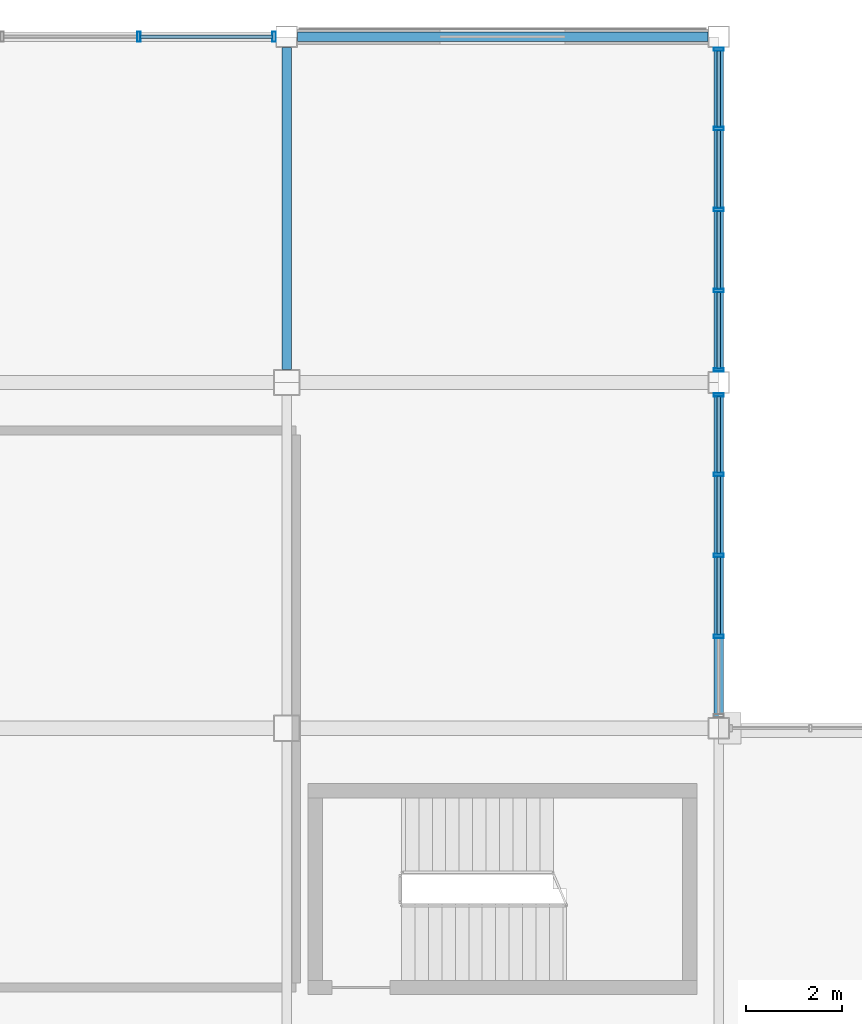
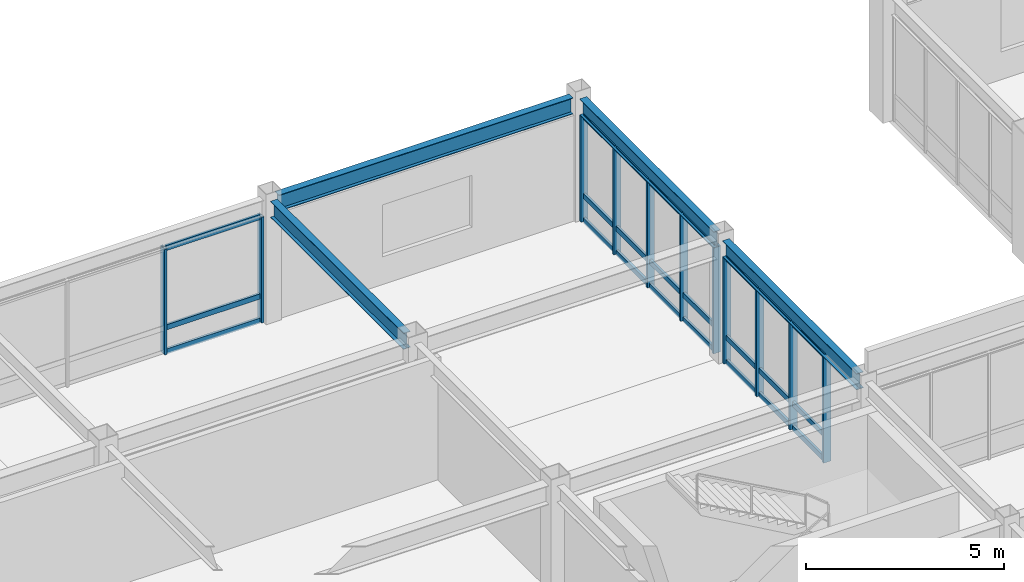
# One storey, part 83 of 122: 35 members, 4 beams, 3 elements without a shape of their own.
"""IFC4 building model written with IfcOpenShell, lengths in metres."""

from ifc_helpers import new_model, si_unit, direction, frame, origin, origin_2d, place, context, subcontext, project, spatial, hollow_rectangle, i_section, extrude, material, material_profile, profile_set, type_object, element, aggregate, save


model = new_model("IFC4")

# Units and contexts
model_context = context("Model", 3, precision=1e-05, world=origin(), true_north=direction((0.0, 1.0)))
body_context = subcontext(model_context, "Body", "Model", "MODEL_VIEW")
ifc_project = project(units=[si_unit("LENGTHUNIT", "METRE"), si_unit("AREAUNIT", "SQUARE_METRE"), si_unit("VOLUMEUNIT", "CUBIC_METRE"), si_unit("PLANEANGLEUNIT", "RADIAN"), si_unit("MASSUNIT", "GRAM", prefix="KILO")], contexts=[model_context])

# Site, building, storey
site_placement = place(None, origin())
site = spatial("IfcSite", under=ifc_project, at=site_placement, CompositionType="ELEMENT")
building_placement = place(site_placement, origin())
building = spatial("IfcBuilding", under=site, at=building_placement, Name="Kazanami Central Library", CompositionType="ELEMENT")
storey_placement = place(building_placement, frame((0.0, 0.0, 4.800048828125)))
storey = spatial("IfcBuildingStorey", under=building, at=storey_placement, Name="L02", CompositionType="ELEMENT", Elevation=4.800048828125)

# Beams
ifc_material_1 = material(Name="Steel SN490B (325 MPa)", Category="steel")
ifc_material_profile_1 = material_profile(ifc_material_1, i_section(OverallWidth=0.199951171875, OverallDepth=0.5, WebThickness=0.010009765625, FlangeThickness=0.01611328125, at=origin_2d()), Name="H-500x200x10x16")
ifc_profile_set_1 = profile_set([ifc_material_profile_1], Name="Steel SN490B (325 MPa)")
beam_type_1 = type_object("IfcBeamType", Name="BM-G-Y2", PredefinedType="BEAM", material=ifc_profile_set_1)
beam_1_placement = place(storey_placement, frame((99.0, 86.673095703125, 3.5048828125), z_axis=(0.0, 1.0, 0.0), x_axis=(-1.0, 0.0, 0.0)))
element("IfcBeam", 1, at=beam_1_placement, inside=storey, type_object=beam_type_1, Name="Girder G-Y2 L02 12/N-O", PredefinedType="BEAM", context=body_context, shape_type="SweptSolid", body=[
    extrude(i_section(OverallWidth=0.199951171875, OverallDepth=0.5, WebThickness=0.010009765625, FlangeThickness=0.01611328125, at=origin_2d()), origin(), (0.0, 0.0, 1.0), 6.703857421875),
])
ifc_material_profile_2 = material_profile(ifc_material_1, i_section(OverallWidth=0.199951171875, OverallDepth=0.5, WebThickness=0.010009765625, FlangeThickness=0.01611328125, at=origin_2d()), Name="H-500x200x10x16")
ifc_profile_set_2 = profile_set([ifc_material_profile_2], Name="Steel SN490B (325 MPa)")
beam_type_2 = type_object("IfcBeamType", Name="BM-SP-1", PredefinedType="SPANDREL", material=ifc_profile_set_2)
beam_2_placement = place(storey_placement, frame((99.222900390625, 93.60009765625, 3.5048828125), z_axis=(1.0, 0.0, 0.0), x_axis=(0.0, 1.0, 0.0)))
element("IfcBeam", 2, at=beam_2_placement, inside=storey, type_object=beam_type_2, Name="Girder SP-1 L02 O/12-13", PredefinedType="SPANDREL", context=body_context, shape_type="SweptSolid", body=[
    extrude(i_section(OverallWidth=0.199951171875, OverallDepth=0.5, WebThickness=0.010009765625, FlangeThickness=0.01611328125, at=origin_2d()), origin(), (0.0, 0.0, 1.0), 8.55419921875),
])
for number, where, z_axis, x_axis, name in (
    (3, (108.0, 79.423095703125, 3.5048828125), (0.0, 1.0, 0.0), (-1.0, 0.0, 0.0), "Girder SP-1 L02 13/M-N"),
    (4, (108.0, 86.623046875, 3.5048828125), (0.0, 1.0, 0.0), (-1.0, 0.0, 0.0), "Girder SP-1 L02 13/N-O"),
):
    element("IfcBeam", number, at=place(storey_placement, frame(where, z_axis=z_axis, x_axis=x_axis)), inside=storey, type_object=beam_type_2, Name=name, PredefinedType="SPANDREL", context=body_context, shape_type="SweptSolid", body=[
        extrude(i_section(OverallWidth=0.199951171875, OverallDepth=0.5, WebThickness=0.010009765625, FlangeThickness=0.01611328125, at=origin_2d()), origin(), (0.0, 0.0, 1.0), 6.75390625),
    ])

# Curtain wall, members
ifc_material_2 = material(Name="Acid-Etched Low-E Laminated Glass", Category="glass")
curtain_wall_type_1 = type_object("IfcCurtainWallType", Name="CW-8550x3255-M275", PredefinedType="USERDEFINED", material=ifc_material_2)
curtain_wall_1_placement = place(storey_placement, origin())
curtain_wall_1 = element("IfcCurtainWall", 5, at=curtain_wall_1_placement, inside=storey, type_object=curtain_wall_type_1, Name="Unitised Curtain Wall CW-19 L02 N-O-10", ObjectType="UNITISED CURTAIN WALL", PredefinedType="USERDEFINED")
ifc_material_3 = material(Name="Anodised Aluminium A6063-T5", Category="aluminium")
ifc_material_profile_3 = material_profile(ifc_material_3, hollow_rectangle(XDim=0.070068359375, YDim=0.2099609375, WallThickness=0.0048828125, at=origin_2d()), Name="ALU-MULL-70x210x5")
ifc_profile_set_3 = profile_set([ifc_material_profile_3], Name="Anodised Aluminium A6063-T5")
member_type_1 = type_object("IfcMemberType", Name="MEM-CW-M1", PredefinedType="MULLION", material=ifc_profile_set_3)
member_1_placement = place(storey_placement, frame((98.739990234375, 93.60009765625, 0.0), z_axis=(0.0, 0.0, 1.0), x_axis=(-1.0, 0.0, 0.0)))
member_1 = element("IfcMember", 6, at=member_1_placement, type_object=member_type_1, Name="CW-19 mullion 1", PredefinedType="MULLION", context=body_context, shape_type="SweptSolid", body=[
    extrude(hollow_rectangle(XDim=0.070068359375, YDim=0.2099609375, WallThickness=0.0048828125, at=origin_2d()), origin(), (0.0, 0.0, 1.0), 3.2548828125),
])
member_2_placement = place(storey_placement, frame((95.925048828125, 93.60009765625, 0.0), z_axis=(0.0, 0.0, 1.0), x_axis=(-1.0, 0.0, 0.0)))
member_2 = element("IfcMember", 7, at=member_2_placement, type_object=member_type_1, Name="CW-19 mullion 2", PredefinedType="MULLION", context=body_context, shape_type="SweptSolid", body=[
    extrude(hollow_rectangle(XDim=0.070068359375, YDim=0.2099609375, WallThickness=0.0048828125, at=origin_2d()), origin(), (0.0, 0.0, 1.0), 3.2548828125),
])

curtain_wall_type_2 = type_object("IfcCurtainWallType", Name="CW-6750x3255-M180", PredefinedType="USERDEFINED", material=ifc_material_2)
curtain_wall_2_placement = place(storey_placement, origin())
curtain_wall_2 = element("IfcCurtainWall", 8, at=curtain_wall_2_placement, inside=storey, type_object=curtain_wall_type_2, Name="Covered Link Bridge Curtain Wall CW-21 L02 E-13-11", ObjectType="UNITISED CURTAIN WALL", PredefinedType="USERDEFINED")
member_3_placement = place(storey_placement, frame((108.0, 86.139892578125, 0.0), z_axis=(0.0, 0.0, 1.0), x_axis=(0.0, -1.0, 0.0)))
member_3 = element("IfcMember", 9, at=member_3_placement, type_object=member_type_1, Name="CW-21 mullion 1", PredefinedType="MULLION", context=body_context, shape_type="SweptSolid", body=[
    extrude(hollow_rectangle(XDim=0.070068359375, YDim=0.2099609375, WallThickness=0.0048828125, at=origin_2d()), origin(), (0.0, 0.0, 1.0), 3.2548828125),
])
member_4_placement = place(storey_placement, frame((108.0, 84.487548828125, 0.0), z_axis=(0.0, 0.0, 1.0), x_axis=(0.0, -1.0, 0.0)))
member_4 = element("IfcMember", 10, at=member_4_placement, type_object=member_type_1, Name="CW-21 mullion 2", PredefinedType="MULLION", context=body_context, shape_type="SweptSolid", body=[
    extrude(hollow_rectangle(XDim=0.070068359375, YDim=0.2099609375, WallThickness=0.0048828125, at=origin_2d()), origin(), (0.0, 0.0, 1.0), 3.2548828125),
])
member_5_placement = place(storey_placement, frame((108.0, 82.800048828125, 0.0), z_axis=(0.0, 0.0, 1.0), x_axis=(0.0, -1.0, 0.0)))
member_5 = element("IfcMember", 11, at=member_5_placement, type_object=member_type_1, Name="CW-21 mullion 3", PredefinedType="MULLION", context=body_context, shape_type="SweptSolid", body=[
    extrude(hollow_rectangle(XDim=0.070068359375, YDim=0.2099609375, WallThickness=0.0048828125, at=origin_2d()), origin(), (0.0, 0.0, 1.0), 3.2548828125),
])
member_6_placement = place(storey_placement, frame((108.0, 81.112548828125, 0.0), z_axis=(0.0, 0.0, 1.0), x_axis=(0.0, -1.0, 0.0)))
member_6 = element("IfcMember", 12, at=member_6_placement, type_object=member_type_1, Name="CW-21 mullion 4", PredefinedType="MULLION", context=body_context, shape_type="SweptSolid", body=[
    extrude(hollow_rectangle(XDim=0.070068359375, YDim=0.2099609375, WallThickness=0.0048828125, at=origin_2d()), origin(), (0.0, 0.0, 1.0), 3.2548828125),
])

curtain_wall_3_placement = place(storey_placement, origin())
curtain_wall_3 = element("IfcCurtainWall", 13, at=curtain_wall_3_placement, inside=storey, type_object=curtain_wall_type_2, Name="Covered Link Bridge Curtain Wall CW-21 L02 E-13-12", ObjectType="UNITISED CURTAIN WALL", PredefinedType="USERDEFINED")
member_7_placement = place(storey_placement, frame((108.0, 93.340087890625, 0.0), z_axis=(0.0, 0.0, 1.0), x_axis=(0.0, -1.0, 0.0)))
member_7 = element("IfcMember", 14, at=member_7_placement, type_object=member_type_1, Name="CW-21 mullion 1", PredefinedType="MULLION", context=body_context, shape_type="SweptSolid", body=[
    extrude(hollow_rectangle(XDim=0.070068359375, YDim=0.2099609375, WallThickness=0.0048828125, at=origin_2d()), origin(), (0.0, 0.0, 1.0), 3.2548828125),
])
member_8_placement = place(storey_placement, frame((108.0, 91.6875, 0.0), z_axis=(0.0, 0.0, 1.0), x_axis=(0.0, -1.0, 0.0)))
member_8 = element("IfcMember", 15, at=member_8_placement, type_object=member_type_1, Name="CW-21 mullion 2", PredefinedType="MULLION", context=body_context, shape_type="SweptSolid", body=[
    extrude(hollow_rectangle(XDim=0.070068359375, YDim=0.2099609375, WallThickness=0.0048828125, at=origin_2d()), origin(), (0.0, 0.0, 1.0), 3.2548828125),
])
member_9_placement = place(storey_placement, frame((108.0, 90.0, 0.0), z_axis=(0.0, 0.0, 1.0), x_axis=(0.0, -1.0, 0.0)))
member_9 = element("IfcMember", 16, at=member_9_placement, type_object=member_type_1, Name="CW-21 mullion 3", PredefinedType="MULLION", context=body_context, shape_type="SweptSolid", body=[
    extrude(hollow_rectangle(XDim=0.070068359375, YDim=0.2099609375, WallThickness=0.0048828125, at=origin_2d()), origin(), (0.0, 0.0, 1.0), 3.2548828125),
])
member_10_placement = place(storey_placement, frame((108.0, 88.3125, 0.0), z_axis=(0.0, 0.0, 1.0), x_axis=(0.0, -1.0, 0.0)))
member_10 = element("IfcMember", 17, at=member_10_placement, type_object=member_type_1, Name="CW-21 mullion 4", PredefinedType="MULLION", context=body_context, shape_type="SweptSolid", body=[
    extrude(hollow_rectangle(XDim=0.070068359375, YDim=0.2099609375, WallThickness=0.0048828125, at=origin_2d()), origin(), (0.0, 0.0, 1.0), 3.2548828125),
])
member_11_placement = place(storey_placement, frame((108.0, 86.659912109375, 0.0), z_axis=(0.0, 0.0, 1.0), x_axis=(0.0, -1.0, 0.0)))
member_11 = element("IfcMember", 18, at=member_11_placement, type_object=member_type_1, Name="CW-21 mullion 5", PredefinedType="MULLION", context=body_context, shape_type="SweptSolid", body=[
    extrude(hollow_rectangle(XDim=0.070068359375, YDim=0.2099609375, WallThickness=0.0048828125, at=origin_2d()), origin(), (0.0, 0.0, 1.0), 3.2548828125),
])

# Member
ifc_material_profile_4 = material_profile(ifc_material_3, hollow_rectangle(XDim=0.070068359375, YDim=0.159912109375, WallThickness=0.00390625, at=origin_2d()), Name="ALU-TRAN-70x160x4")
ifc_profile_set_4 = profile_set([ifc_material_profile_4], Name="Anodised Aluminium A6063-T5")
member_type_2 = type_object("IfcMemberType", Name="MEM-CW-T1", PredefinedType="USERDEFINED", material=ifc_profile_set_4)
member_12_placement = place(storey_placement, frame((98.705078125, 93.60009765625, 0.034912109375), z_axis=(-1.0, 0.0, 0.0), x_axis=(0.0, -1.0, 0.0)))
member_12 = element("IfcMember", 19, at=member_12_placement, type_object=member_type_2, Name="CW-19 transom 1.1", ObjectType="TRANSOM", PredefinedType="USERDEFINED", context=body_context, shape_type="SweptSolid", body=[
    extrude(hollow_rectangle(XDim=0.070068359375, YDim=0.159912109375, WallThickness=0.00390625, at=origin_2d()), origin(), (0.0, 0.0, 1.0), 2.7451171875),
])

member_13_placement = place(storey_placement, frame((98.705078125, 93.60009765625, 0.780029296875), z_axis=(-1.0, 0.0, 0.0), x_axis=(0.0, -1.0, 0.0)))
member_13 = element("IfcMember", 20, at=member_13_placement, type_object=member_type_2, Name="CW-19 transom 1.2", ObjectType="TRANSOM", PredefinedType="USERDEFINED", context=body_context, shape_type="SweptSolid", body=[
    extrude(hollow_rectangle(XDim=0.070068359375, YDim=0.159912109375, WallThickness=0.00390625, at=origin_2d()), origin(), (0.0, 0.0, 1.0), 2.7451171875),
])

member_14_placement = place(storey_placement, frame((98.705078125, 93.60009765625, 3.219970703125), z_axis=(-1.0, 0.0, 0.0), x_axis=(0.0, -1.0, 0.0)))
member_14 = element("IfcMember", 21, at=member_14_placement, type_object=member_type_2, Name="CW-19 transom 1.3", ObjectType="TRANSOM", PredefinedType="USERDEFINED", context=body_context, shape_type="SweptSolid", body=[
    extrude(hollow_rectangle(XDim=0.070068359375, YDim=0.159912109375, WallThickness=0.00390625, at=origin_2d()), origin(), (0.0, 0.0, 1.0), 2.7451171875),
])

aggregate(curtain_wall_1, [member_1, member_2, member_12, member_13, member_14])

member_15_placement = place(storey_placement, frame((108.0, 86.10498046875, 0.034912109375), z_axis=(0.0, -1.0, 0.0), x_axis=(1.0, 0.0, 0.0)))
member_15 = element("IfcMember", 22, at=member_15_placement, type_object=member_type_2, Name="CW-21 transom 1.1", ObjectType="TRANSOM", PredefinedType="USERDEFINED", context=body_context, shape_type="SweptSolid", body=[
    extrude(hollow_rectangle(XDim=0.070068359375, YDim=0.159912109375, WallThickness=0.00390625, at=origin_2d()), origin(), (0.0, 0.0, 1.0), 1.58251953125),
])

member_16_placement = place(storey_placement, frame((108.0, 86.10498046875, 0.780029296875), z_axis=(0.0, -1.0, 0.0), x_axis=(1.0, 0.0, 0.0)))
member_16 = element("IfcMember", 23, at=member_16_placement, type_object=member_type_2, Name="CW-21 transom 1.2", ObjectType="TRANSOM", PredefinedType="USERDEFINED", context=body_context, shape_type="SweptSolid", body=[
    extrude(hollow_rectangle(XDim=0.070068359375, YDim=0.159912109375, WallThickness=0.00390625, at=origin_2d()), origin(), (0.0, 0.0, 1.0), 1.58251953125),
])

member_17_placement = place(storey_placement, frame((108.0, 86.10498046875, 3.219970703125), z_axis=(0.0, -1.0, 0.0), x_axis=(1.0, 0.0, 0.0)))
member_17 = element("IfcMember", 24, at=member_17_placement, type_object=member_type_2, Name="CW-21 transom 1.3", ObjectType="TRANSOM", PredefinedType="USERDEFINED", context=body_context, shape_type="SweptSolid", body=[
    extrude(hollow_rectangle(XDim=0.070068359375, YDim=0.159912109375, WallThickness=0.00390625, at=origin_2d()), origin(), (0.0, 0.0, 1.0), 1.58251953125),
])

member_18_placement = place(storey_placement, frame((108.0, 84.452392578125, 0.034912109375), z_axis=(0.0, -1.0, 0.0), x_axis=(1.0, 0.0, 0.0)))
member_18 = element("IfcMember", 25, at=member_18_placement, type_object=member_type_2, Name="CW-21 transom 2.1", ObjectType="TRANSOM", PredefinedType="USERDEFINED", context=body_context, shape_type="SweptSolid", body=[
    extrude(hollow_rectangle(XDim=0.070068359375, YDim=0.159912109375, WallThickness=0.00390625, at=origin_2d()), origin(), (0.0, 0.0, 1.0), 1.617431640625),
])

member_19_placement = place(storey_placement, frame((108.0, 84.452392578125, 0.780029296875), z_axis=(0.0, -1.0, 0.0), x_axis=(1.0, 0.0, 0.0)))
member_19 = element("IfcMember", 26, at=member_19_placement, type_object=member_type_2, Name="CW-21 transom 2.2", ObjectType="TRANSOM", PredefinedType="USERDEFINED", context=body_context, shape_type="SweptSolid", body=[
    extrude(hollow_rectangle(XDim=0.070068359375, YDim=0.159912109375, WallThickness=0.00390625, at=origin_2d()), origin(), (0.0, 0.0, 1.0), 1.617431640625),
])

member_20_placement = place(storey_placement, frame((108.0, 84.452392578125, 3.219970703125), z_axis=(0.0, -1.0, 0.0), x_axis=(1.0, 0.0, 0.0)))
member_20 = element("IfcMember", 27, at=member_20_placement, type_object=member_type_2, Name="CW-21 transom 2.3", ObjectType="TRANSOM", PredefinedType="USERDEFINED", context=body_context, shape_type="SweptSolid", body=[
    extrude(hollow_rectangle(XDim=0.070068359375, YDim=0.159912109375, WallThickness=0.00390625, at=origin_2d()), origin(), (0.0, 0.0, 1.0), 1.617431640625),
])

member_21_placement = place(storey_placement, frame((108.0, 82.764892578125, 0.034912109375), z_axis=(0.0, -1.0, 0.0), x_axis=(1.0, 0.0, 0.0)))
member_21 = element("IfcMember", 28, at=member_21_placement, type_object=member_type_2, Name="CW-21 transom 3.1", ObjectType="TRANSOM", PredefinedType="USERDEFINED", context=body_context, shape_type="SweptSolid", body=[
    extrude(hollow_rectangle(XDim=0.070068359375, YDim=0.159912109375, WallThickness=0.00390625, at=origin_2d()), origin(), (0.0, 0.0, 1.0), 1.617431640625),
])

member_22_placement = place(storey_placement, frame((108.0, 82.764892578125, 0.780029296875), z_axis=(0.0, -1.0, 0.0), x_axis=(1.0, 0.0, 0.0)))
member_22 = element("IfcMember", 29, at=member_22_placement, type_object=member_type_2, Name="CW-21 transom 3.2", ObjectType="TRANSOM", PredefinedType="USERDEFINED", context=body_context, shape_type="SweptSolid", body=[
    extrude(hollow_rectangle(XDim=0.070068359375, YDim=0.159912109375, WallThickness=0.00390625, at=origin_2d()), origin(), (0.0, 0.0, 1.0), 1.617431640625),
])

member_23_placement = place(storey_placement, frame((108.0, 82.764892578125, 3.219970703125), z_axis=(0.0, -1.0, 0.0), x_axis=(1.0, 0.0, 0.0)))
member_23 = element("IfcMember", 30, at=member_23_placement, type_object=member_type_2, Name="CW-21 transom 3.3", ObjectType="TRANSOM", PredefinedType="USERDEFINED", context=body_context, shape_type="SweptSolid", body=[
    extrude(hollow_rectangle(XDim=0.070068359375, YDim=0.159912109375, WallThickness=0.00390625, at=origin_2d()), origin(), (0.0, 0.0, 1.0), 1.617431640625),
])

aggregate(curtain_wall_2, [member_3, member_4, member_5, member_6, member_15, member_16, member_17, member_18, member_19, member_20, member_21, member_22, member_23])

member_24_placement = place(storey_placement, frame((108.0, 93.304931640625, 0.034912109375), z_axis=(0.0, -1.0, 0.0), x_axis=(1.0, 0.0, 0.0)))
member_24 = element("IfcMember", 31, at=member_24_placement, type_object=member_type_2, Name="CW-21 transom 1.1", ObjectType="TRANSOM", PredefinedType="USERDEFINED", context=body_context, shape_type="SweptSolid", body=[
    extrude(hollow_rectangle(XDim=0.070068359375, YDim=0.159912109375, WallThickness=0.00390625, at=origin_2d()), origin(), (0.0, 0.0, 1.0), 1.58251953125),
])

member_25_placement = place(storey_placement, frame((108.0, 93.304931640625, 0.780029296875), z_axis=(0.0, -1.0, 0.0), x_axis=(1.0, 0.0, 0.0)))
member_25 = element("IfcMember", 32, at=member_25_placement, type_object=member_type_2, Name="CW-21 transom 1.2", ObjectType="TRANSOM", PredefinedType="USERDEFINED", context=body_context, shape_type="SweptSolid", body=[
    extrude(hollow_rectangle(XDim=0.070068359375, YDim=0.159912109375, WallThickness=0.00390625, at=origin_2d()), origin(), (0.0, 0.0, 1.0), 1.58251953125),
])

member_26_placement = place(storey_placement, frame((108.0, 93.304931640625, 3.219970703125), z_axis=(0.0, -1.0, 0.0), x_axis=(1.0, 0.0, 0.0)))
member_26 = element("IfcMember", 33, at=member_26_placement, type_object=member_type_2, Name="CW-21 transom 1.3", ObjectType="TRANSOM", PredefinedType="USERDEFINED", context=body_context, shape_type="SweptSolid", body=[
    extrude(hollow_rectangle(XDim=0.070068359375, YDim=0.159912109375, WallThickness=0.00390625, at=origin_2d()), origin(), (0.0, 0.0, 1.0), 1.58251953125),
])

member_27_placement = place(storey_placement, frame((108.0, 91.652587890625, 0.034912109375), z_axis=(0.0, -1.0, 0.0), x_axis=(1.0, 0.0, 0.0)))
member_27 = element("IfcMember", 34, at=member_27_placement, type_object=member_type_2, Name="CW-21 transom 2.1", ObjectType="TRANSOM", PredefinedType="USERDEFINED", context=body_context, shape_type="SweptSolid", body=[
    extrude(hollow_rectangle(XDim=0.070068359375, YDim=0.159912109375, WallThickness=0.00390625, at=origin_2d()), origin(), (0.0, 0.0, 1.0), 1.61767578125),
])

member_28_placement = place(storey_placement, frame((108.0, 91.652587890625, 0.780029296875), z_axis=(0.0, -1.0, 0.0), x_axis=(1.0, 0.0, 0.0)))
member_28 = element("IfcMember", 35, at=member_28_placement, type_object=member_type_2, Name="CW-21 transom 2.2", ObjectType="TRANSOM", PredefinedType="USERDEFINED", context=body_context, shape_type="SweptSolid", body=[
    extrude(hollow_rectangle(XDim=0.070068359375, YDim=0.159912109375, WallThickness=0.00390625, at=origin_2d()), origin(), (0.0, 0.0, 1.0), 1.61767578125),
])

member_29_placement = place(storey_placement, frame((108.0, 91.652587890625, 3.219970703125), z_axis=(0.0, -1.0, 0.0), x_axis=(1.0, 0.0, 0.0)))
member_29 = element("IfcMember", 36, at=member_29_placement, type_object=member_type_2, Name="CW-21 transom 2.3", ObjectType="TRANSOM", PredefinedType="USERDEFINED", context=body_context, shape_type="SweptSolid", body=[
    extrude(hollow_rectangle(XDim=0.070068359375, YDim=0.159912109375, WallThickness=0.00390625, at=origin_2d()), origin(), (0.0, 0.0, 1.0), 1.61767578125),
])

member_30_placement = place(storey_placement, frame((108.0, 89.965087890625, 0.034912109375), z_axis=(0.0, -1.0, 0.0), x_axis=(1.0, 0.0, 0.0)))
member_30 = element("IfcMember", 37, at=member_30_placement, type_object=member_type_2, Name="CW-21 transom 3.1", ObjectType="TRANSOM", PredefinedType="USERDEFINED", context=body_context, shape_type="SweptSolid", body=[
    extrude(hollow_rectangle(XDim=0.070068359375, YDim=0.159912109375, WallThickness=0.00390625, at=origin_2d()), origin(), (0.0, 0.0, 1.0), 1.61767578125),
])

member_31_placement = place(storey_placement, frame((108.0, 89.965087890625, 0.780029296875), z_axis=(0.0, -1.0, 0.0), x_axis=(1.0, 0.0, 0.0)))
member_31 = element("IfcMember", 38, at=member_31_placement, type_object=member_type_2, Name="CW-21 transom 3.2", ObjectType="TRANSOM", PredefinedType="USERDEFINED", context=body_context, shape_type="SweptSolid", body=[
    extrude(hollow_rectangle(XDim=0.070068359375, YDim=0.159912109375, WallThickness=0.00390625, at=origin_2d()), origin(), (0.0, 0.0, 1.0), 1.61767578125),
])

member_32_placement = place(storey_placement, frame((108.0, 89.965087890625, 3.219970703125), z_axis=(0.0, -1.0, 0.0), x_axis=(1.0, 0.0, 0.0)))
member_32 = element("IfcMember", 39, at=member_32_placement, type_object=member_type_2, Name="CW-21 transom 3.3", ObjectType="TRANSOM", PredefinedType="USERDEFINED", context=body_context, shape_type="SweptSolid", body=[
    extrude(hollow_rectangle(XDim=0.070068359375, YDim=0.159912109375, WallThickness=0.00390625, at=origin_2d()), origin(), (0.0, 0.0, 1.0), 1.61767578125),
])

member_33_placement = place(storey_placement, frame((108.0, 88.277587890625, 0.034912109375), z_axis=(0.0, -1.0, 0.0), x_axis=(1.0, 0.0, 0.0)))
member_33 = element("IfcMember", 40, at=member_33_placement, type_object=member_type_2, Name="CW-21 transom 4.1", ObjectType="TRANSOM", PredefinedType="USERDEFINED", context=body_context, shape_type="SweptSolid", body=[
    extrude(hollow_rectangle(XDim=0.070068359375, YDim=0.159912109375, WallThickness=0.00390625, at=origin_2d()), origin(), (0.0, 0.0, 1.0), 1.58251953125),
])

member_34_placement = place(storey_placement, frame((108.0, 88.277587890625, 0.780029296875), z_axis=(0.0, -1.0, 0.0), x_axis=(1.0, 0.0, 0.0)))
member_34 = element("IfcMember", 41, at=member_34_placement, type_object=member_type_2, Name="CW-21 transom 4.2", ObjectType="TRANSOM", PredefinedType="USERDEFINED", context=body_context, shape_type="SweptSolid", body=[
    extrude(hollow_rectangle(XDim=0.070068359375, YDim=0.159912109375, WallThickness=0.00390625, at=origin_2d()), origin(), (0.0, 0.0, 1.0), 1.58251953125),
])

member_35_placement = place(storey_placement, frame((108.0, 88.277587890625, 3.219970703125), z_axis=(0.0, -1.0, 0.0), x_axis=(1.0, 0.0, 0.0)))
member_35 = element("IfcMember", 42, at=member_35_placement, type_object=member_type_2, Name="CW-21 transom 4.3", ObjectType="TRANSOM", PredefinedType="USERDEFINED", context=body_context, shape_type="SweptSolid", body=[
    extrude(hollow_rectangle(XDim=0.070068359375, YDim=0.159912109375, WallThickness=0.00390625, at=origin_2d()), origin(), (0.0, 0.0, 1.0), 1.58251953125),
])

aggregate(curtain_wall_3, [member_7, member_8, member_9, member_10, member_11, member_24, member_25, member_26, member_27, member_28, member_29, member_30, member_31, member_32, member_33, member_34, member_35])

save(model, "model.ifc")
